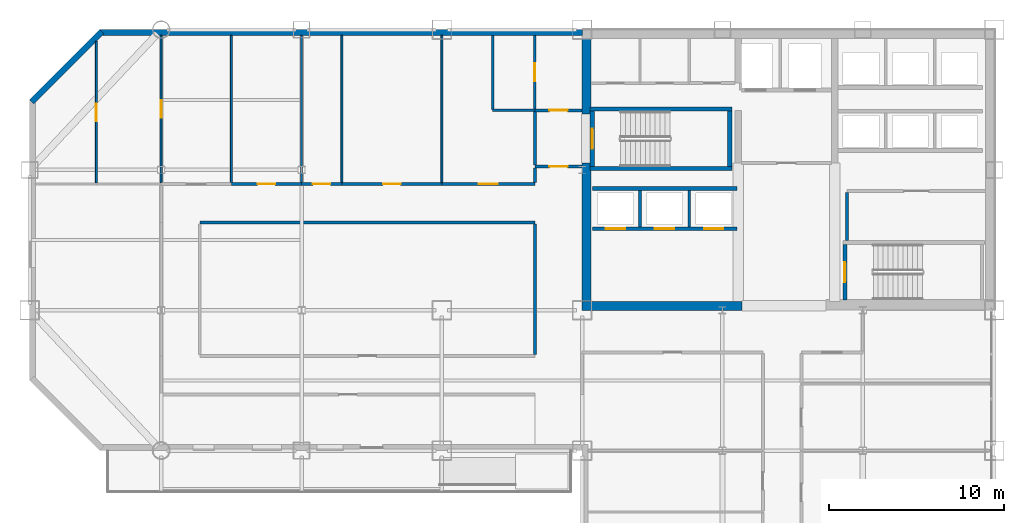
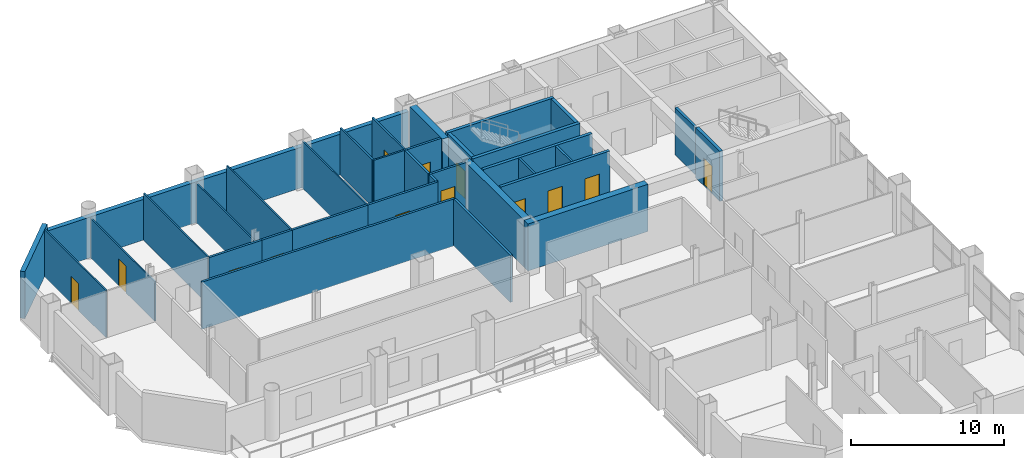
# One storey, part 13 of 16: 34 walls, 14 doors, 14 openings.
"""IFC4 building model written with IfcOpenShell, lengths in metres."""

from ifc_helpers import new_model, si_unit, direction, frame, frame_2d, origin, place, context, subcontext, project, spatial, rectangle, extrude, material, layer, layer_set, type_object, element, fill, save


model = new_model("IFC4")

# Units and contexts
model_context = context("Model", 3, precision=1e-05, world=origin(), true_north=direction((0.0, 1.0)))
body_context = subcontext(model_context, "Body", "Model", "MODEL_VIEW")
ifc_project = project(units=[si_unit("LENGTHUNIT", "METRE"), si_unit("AREAUNIT", "SQUARE_METRE"), si_unit("VOLUMEUNIT", "CUBIC_METRE"), si_unit("PLANEANGLEUNIT", "RADIAN"), si_unit("MASSUNIT", "GRAM", prefix="KILO")], contexts=[model_context])

# Site, building, storey
site_placement = place(None, origin())
site = spatial("IfcSite", under=ifc_project, at=site_placement, CompositionType="ELEMENT")
building_placement = place(site_placement, origin())
building = spatial("IfcBuilding", under=site, at=building_placement, Name="Qianrong Seaharbour Tower", CompositionType="ELEMENT")
storey_placement = place(building_placement, frame((0.0, 0.0, 123.0)))
storey = spatial("IfcBuildingStorey", under=building, at=storey_placement, Name="L29", CompositionType="ELEMENT", Elevation=123.0)

# Walls
ifc_material_1 = material(Name="Concrete C60/75", Category="concrete")
ifc_layer_1 = layer(ifc_material_1, 0.5)
ifc_layer_set_1 = layer_set([ifc_layer_1], Name="Concrete C60/75")
wall_type_1 = type_object("IfcWallType", Name="WALL-CORE-500", PredefinedType="SHEAR", material=ifc_layer_set_1)
wall_1_placement = place(storey_placement, frame((40.75, 36.5, 0.0), z_axis=(0.0, 0.0, 1.0), x_axis=(0.0, 1.0, 0.0)))
element("IfcWall", 1, at=wall_1_placement, inside=storey, type_object=wall_type_1, Name="L29 West Core Shear Wall South", PredefinedType="SHEAR", context=body_context, shape_type="SweptSolid", body=[
    extrude(rectangle(XDim=7.89990234375, YDim=0.5, at=frame_2d((3.949951171875, 0.0))), origin(), (0.0, 0.0, 1.0), 3.764892578125),
])
wall_2_placement = place(storey_placement, frame((40.75, 47.199951171875, 0.0), z_axis=(0.0, 0.0, 1.0), x_axis=(0.0, 1.0, 0.0)))
element("IfcWall", 2, at=wall_2_placement, inside=storey, type_object=wall_type_1, Name="L29 West Core Shear Wall North", PredefinedType="SHEAR", context=body_context, shape_type="SweptSolid", body=[
    extrude(rectangle(XDim=4.300048828125, YDim=0.5, at=frame_2d((2.14990234375, 0.0))), origin(), (0.0, 0.0, 1.0), 3.764892578125),
])
wall_3_placement = place(storey_placement, frame((40.5, 36.25, 0.0), z_axis=(0.0, 0.0, 1.0), x_axis=(1.0, 0.0, 0.0)))
element("IfcWall", 3, at=wall_3_placement, inside=storey, type_object=wall_type_1, Name="L29 South Core Shear Wall S1", PredefinedType="SHEAR", context=body_context, shape_type="SweptSolid", body=[
    extrude(rectangle(XDim=9.10009765625, YDim=0.5, at=frame_2d((4.550048828125, 0.0))), origin(), (0.0, 0.0, 1.0), 3.764892578125),
])

# Wall, opening, door
ifc_material_2 = material(Name="Fire-rated acoustic gypsum board partition")
ifc_layer_2 = layer(ifc_material_2, 0.1650390625)
ifc_layer_set_2 = layer_set([ifc_layer_2], Name="Fire-rated acoustic gypsum board partition")
wall_type_2 = type_object("IfcWallType", Name="WALL-CORR-PART-165", PredefinedType="PARTITIONING", material=ifc_layer_set_2)
wall_4_placement = place(storey_placement, frame((37.800048828125, 47.39990234375, 0.0), z_axis=(0.0, 0.0, 1.0), x_axis=(1.0, 0.0, 0.0)))
wall_4 = element("IfcWall", 4, at=wall_4_placement, inside=storey, type_object=wall_type_2, Name="L29 Interior Partition Wall 001", PredefinedType="PARTITIONING", context=body_context, shape_type="SweptSolid", body=[
    extrude(rectangle(XDim=2.699951171875, YDim=0.1650390625, at=frame_2d((1.35009765625, 0.0))), origin(), (0.0, 0.0, 1.0), 3.764892578125),
])
opening_1_placement = place(wall_4_placement, frame((0.824951171875, 0.0, 0.0)))
opening_1 = element("IfcOpeningElement", 5, at=opening_1_placement, cuts=wall_4, Name="Opening DC-01", PredefinedType="OPENING", context=body_context, shape_type="SweptSolid", body=[
    extrude(rectangle(XDim=1.050048828125, YDim=2.14990234375, at=frame_2d((0.52490234375, 1.074951171875))), frame((0.0, 0.092529296875, 0.0), z_axis=(0.0, -1.0, 0.0), x_axis=(1.0, 0.0, 0.0)), (0.0, 0.0, 1.0), 0.18505859375),
])
ifc_material_3 = material(Name="Acoustic timber and galvanized steel fire door assembly", Category="steel")
door_type_1 = type_object("IfcDoorType", Name="DOOR-CORR-FD60-1050x2150", OperationType="NOTDEFINED", PredefinedType="DOOR", material=ifc_material_3)
door_1_placement = place(opening_1_placement, origin())
door_1 = element("IfcDoor", 6, at=door_1_placement, inside=storey, type_object=door_type_1, Name="L29 Smokeproof Stair Vestibule ST-1 Door", OperationType="SINGLE_SWING_LEFT", OverallHeight=2.14990234375, OverallWidth=1.050048828125, PredefinedType="DOOR", context=body_context, shape_type="SweptSolid", body=[
    extrude(rectangle(XDim=1.050048828125, YDim=2.14990234375, at=frame_2d((0.52490234375, 1.074951171875))), frame((0.0, 0.02490234375, 0.0), z_axis=(0.0, -1.0, 0.0), x_axis=(1.0, 0.0, 0.0)), (0.0, 0.0, 1.0), 0.050048828125),
])
fill(opening_1, door_1)

wall_5_placement = place(storey_placement, frame((40.5, 44.199951171875, 0.0), z_axis=(0.0, 0.0, 1.0), x_axis=(-1.0, 0.0, 0.0)))
wall_5 = element("IfcWall", 7, at=wall_5_placement, inside=storey, type_object=wall_type_2, Name="L29 Interior Partition Wall 002", PredefinedType="PARTITIONING", context=body_context, shape_type="SweptSolid", body=[
    extrude(rectangle(XDim=2.699951171875, YDim=0.1650390625, at=frame_2d((1.35009765625, 0.0))), origin(), (0.0, 0.0, 1.0), 3.764892578125),
])
opening_2_placement = place(wall_5_placement, frame((0.824951171875, 0.0, 0.0)))
opening_2 = element("IfcOpeningElement", 8, at=opening_2_placement, cuts=wall_5, Name="Opening DC-01", PredefinedType="OPENING", context=body_context, shape_type="SweptSolid", body=[
    extrude(rectangle(XDim=1.050048828125, YDim=2.14990234375, at=frame_2d((0.52490234375, 1.074951171875))), frame((0.0, 0.092529296875, 0.0), z_axis=(0.0, -1.0, 0.0), x_axis=(1.0, 0.0, 0.0)), (0.0, 0.0, 1.0), 0.18505859375),
])
door_2_placement = place(opening_2_placement, origin())
door_2 = element("IfcDoor", 9, at=door_2_placement, inside=storey, type_object=door_type_1, Name="L29 Smokeproof Stair Vestibule ST-1 Door", OperationType="SINGLE_SWING_RIGHT", OverallHeight=2.14990234375, OverallWidth=1.050048828125, PredefinedType="DOOR", context=body_context, shape_type="SweptSolid", body=[
    extrude(rectangle(XDim=1.050048828125, YDim=2.14990234375, at=frame_2d((0.52490234375, 1.074951171875))), frame((0.0, 0.02490234375, 0.0), z_axis=(0.0, -1.0, 0.0), x_axis=(1.0, 0.0, 0.0)), (0.0, 0.0, 1.0), 0.050048828125),
])
fill(opening_2, door_2)

# Walls
wall_6_placement = place(storey_placement, frame((37.800048828125, 44.2744140625, 0.0), z_axis=(0.0, 0.0, 1.0), x_axis=(0.0, 1.0, 0.0)))
element("IfcWall", 10, at=wall_6_placement, inside=storey, type_object=wall_type_2, Name="L29 Interior Partition Wall 003", PredefinedType="PARTITIONING", context=body_context, shape_type="SweptSolid", body=[
    extrude(rectangle(XDim=3.051025390625, YDim=0.1650390625, at=frame_2d((1.525390625, 0.0))), origin(), (0.0, 0.0, 1.0), 3.764892578125),
])
wall_7_placement = place(storey_placement, frame((37.800048828125, 41.0, 0.0), z_axis=(0.0, 0.0, 1.0), x_axis=(-1.0, 0.0, 0.0)))
element("IfcWall", 11, at=wall_7_placement, inside=storey, type_object=wall_type_2, Name="L29 Interior Partition Wall 019", PredefinedType="PARTITIONING", context=body_context, shape_type="SweptSolid", body=[
    extrude(rectangle(XDim=19.10009765625, YDim=0.1650390625, at=frame_2d((9.550048828125, 0.0))), origin(), (0.0, 0.0, 1.0), 3.764892578125),
])

# Wall, opening, door
wall_8_placement = place(storey_placement, frame((20.5, 43.199951171875, 0.0), z_axis=(0.0, 0.0, 1.0), x_axis=(1.0, 0.0, 0.0)))
wall_8 = element("IfcWall", 12, at=wall_8_placement, inside=storey, type_object=wall_type_2, Name="L29 Interior Partition Wall 021", PredefinedType="PARTITIONING", context=body_context, shape_type="SweptSolid", body=[
    extrude(rectangle(XDim=4.0, YDim=0.1650390625, at=frame_2d((2.0, 0.0))), origin(), (0.0, 0.0, 1.0), 3.764892578125),
])
opening_3_placement = place(wall_8_placement, frame((1.5, 0.0, 0.0)))
opening_3 = element("IfcOpeningElement", 13, at=opening_3_placement, cuts=wall_8, Name="Opening DO-01", PredefinedType="OPENING", context=body_context, shape_type="SweptSolid", body=[
    extrude(rectangle(XDim=1.0, YDim=2.14990234375, at=frame_2d((0.5, 1.074951171875))), frame((0.0, 0.092529296875, 0.0), z_axis=(0.0, -1.0, 0.0), x_axis=(1.0, 0.0, 0.0)), (0.0, 0.0, 1.0), 0.18505859375),
])
door_type_2 = type_object("IfcDoorType", Name="DOOR-OFFICE-1000x2150", OperationType="NOTDEFINED", PredefinedType="DOOR", material=ifc_material_3)
door_3_placement = place(opening_3_placement, origin())
door_3 = element("IfcDoor", 14, at=door_3_placement, inside=storey, type_object=door_type_2, Name="L29 Executive Office 4 Door", OperationType="SINGLE_SWING_LEFT", OverallHeight=2.14990234375, OverallWidth=1.0, PredefinedType="DOOR", context=body_context, shape_type="SweptSolid", body=[
    extrude(rectangle(XDim=1.0, YDim=2.14990234375, at=frame_2d((0.5, 1.074951171875))), frame((0.0, 0.02490234375, 0.0), z_axis=(0.0, -1.0, 0.0), x_axis=(1.0, 0.0, 0.0)), (0.0, 0.0, 1.0), 0.050048828125),
])
fill(opening_3, door_3)

wall_9_placement = place(storey_placement, frame((24.5, 43.199951171875, 0.0), z_axis=(0.0, 0.0, 1.0), x_axis=(1.0, 0.0, 0.0)))
wall_9 = element("IfcWall", 15, at=wall_9_placement, inside=storey, type_object=wall_type_2, Name="L29 Interior Partition Wall 022", PredefinedType="PARTITIONING", context=body_context, shape_type="SweptSolid", body=[
    extrude(rectangle(XDim=2.300048828125, YDim=0.1650390625, at=frame_2d((1.14990234375, 0.0))), origin(), (0.0, 0.0, 1.0), 3.764892578125),
])
opening_4_placement = place(wall_9_placement, frame((0.64990234375, 0.0, 0.0)))
opening_4 = element("IfcOpeningElement", 16, at=opening_4_placement, cuts=wall_9, Name="Opening DO-01", PredefinedType="OPENING", context=body_context, shape_type="SweptSolid", body=[
    extrude(rectangle(XDim=1.0, YDim=2.14990234375, at=frame_2d((0.5, 1.074951171875))), frame((0.0, 0.092529296875, 0.0), z_axis=(0.0, -1.0, 0.0), x_axis=(1.0, 0.0, 0.0)), (0.0, 0.0, 1.0), 0.18505859375),
])
door_4_placement = place(opening_4_placement, origin())
door_4 = element("IfcDoor", 17, at=door_4_placement, inside=storey, type_object=door_type_2, Name="L29 Executive Office 5 Door", OperationType="SINGLE_SWING_RIGHT", OverallHeight=2.14990234375, OverallWidth=1.0, PredefinedType="DOOR", context=body_context, shape_type="SweptSolid", body=[
    extrude(rectangle(XDim=1.0, YDim=2.14990234375, at=frame_2d((0.5, 1.074951171875))), frame((0.0, 0.02490234375, 0.0), z_axis=(0.0, -1.0, 0.0), x_axis=(1.0, 0.0, 0.0)), (0.0, 0.0, 1.0), 0.050048828125),
])
fill(opening_4, door_4)

wall_10_placement = place(storey_placement, frame((26.800048828125, 43.199951171875, 0.0), z_axis=(0.0, 0.0, 1.0), x_axis=(1.0, 0.0, 0.0)))
wall_10 = element("IfcWall", 18, at=wall_10_placement, inside=storey, type_object=wall_type_2, Name="L29 Interior Partition Wall 023", PredefinedType="PARTITIONING", context=body_context, shape_type="SweptSolid", body=[
    extrude(rectangle(XDim=5.699951171875, YDim=0.1650390625, at=frame_2d((2.85009765625, 0.0))), origin(), (0.0, 0.0, 1.0), 3.764892578125),
])
opening_5_placement = place(wall_10_placement, frame((2.35009765625, 0.0, 0.0)))
opening_5 = element("IfcOpeningElement", 19, at=opening_5_placement, cuts=wall_10, Name="Opening DO-01", PredefinedType="OPENING", context=body_context, shape_type="SweptSolid", body=[
    extrude(rectangle(XDim=1.0, YDim=2.14990234375, at=frame_2d((0.5, 1.074951171875))), frame((0.0, 0.092529296875, 0.0), z_axis=(0.0, -1.0, 0.0), x_axis=(1.0, 0.0, 0.0)), (0.0, 0.0, 1.0), 0.18505859375),
])
door_5_placement = place(opening_5_placement, origin())
door_5 = element("IfcDoor", 20, at=door_5_placement, inside=storey, type_object=door_type_2, Name="L29 Focus Room 6 Door", OperationType="SINGLE_SWING_LEFT", OverallHeight=2.14990234375, OverallWidth=1.0, PredefinedType="DOOR", context=body_context, shape_type="SweptSolid", body=[
    extrude(rectangle(XDim=1.0, YDim=2.14990234375, at=frame_2d((0.5, 1.074951171875))), frame((0.0, 0.02490234375, 0.0), z_axis=(0.0, -1.0, 0.0), x_axis=(1.0, 0.0, 0.0)), (0.0, 0.0, 1.0), 0.050048828125),
])
fill(opening_5, door_5)

wall_11_placement = place(storey_placement, frame((32.5, 43.199951171875, 0.0), z_axis=(0.0, 0.0, 1.0), x_axis=(1.0, 0.0, 0.0)))
wall_11 = element("IfcWall", 21, at=wall_11_placement, inside=storey, type_object=wall_type_2, Name="L29 Interior Partition Wall 024", PredefinedType="PARTITIONING", context=body_context, shape_type="SweptSolid", body=[
    extrude(rectangle(XDim=5.300048828125, YDim=0.1650390625, at=frame_2d((2.64990234375, 0.0))), origin(), (0.0, 0.0, 1.0), 3.764892578125),
])
opening_6_placement = place(wall_11_placement, frame((2.10009765625, 0.0, 0.0)))
opening_6 = element("IfcOpeningElement", 22, at=opening_6_placement, cuts=wall_11, Name="Opening DM-01", PredefinedType="OPENING", context=body_context, shape_type="SweptSolid", body=[
    extrude(rectangle(XDim=1.10009765625, YDim=2.199951171875, at=frame_2d((0.550048828125, 1.10009765625))), frame((0.0, 0.092529296875, 0.0), z_axis=(0.0, -1.0, 0.0), x_axis=(1.0, 0.0, 0.0)), (0.0, 0.0, 1.0), 0.18505859375),
])
door_type_3 = type_object("IfcDoorType", Name="DOOR-MEET-1100x2200", OperationType="NOTDEFINED", PredefinedType="DOOR", material=ifc_material_3)
door_6_placement = place(opening_6_placement, origin())
door_6 = element("IfcDoor", 23, at=door_6_placement, inside=storey, type_object=door_type_3, Name="L29 Meeting Room 7 Door", OperationType="SINGLE_SWING_RIGHT", OverallHeight=2.199951171875, OverallWidth=1.10009765625, PredefinedType="DOOR", context=body_context, shape_type="SweptSolid", body=[
    extrude(rectangle(XDim=1.10009765625, YDim=2.199951171875, at=frame_2d((0.550048828125, 1.10009765625))), frame((0.0, 0.02490234375, 0.0), z_axis=(0.0, -1.0, 0.0), x_axis=(1.0, 0.0, 0.0)), (0.0, 0.0, 1.0), 0.050048828125),
])
fill(opening_6, door_6)

# Walls
wall_12_placement = place(storey_placement, frame((37.800048828125, 33.474609375, 0.0), z_axis=(0.0, 0.0, 1.0), x_axis=(0.0, 1.0, 0.0)))
element("IfcWall", 24, at=wall_12_placement, inside=storey, type_object=wall_type_2, Name="L29 Interior Partition Wall 027", PredefinedType="PARTITIONING", context=body_context, shape_type="SweptSolid", body=[
    extrude(rectangle(XDim=7.450927734375, YDim=0.1650390625, at=frame_2d((3.7255859375, 0.0))), origin(), (0.0, 0.0, 1.0), 3.764892578125),
])
wall_13_placement = place(storey_placement, frame((37.800048828125, 43.2744140625, 0.0), z_axis=(0.0, 0.0, 1.0), x_axis=(0.0, 1.0, 0.0)))
element("IfcWall", 25, at=wall_13_placement, inside=storey, type_object=wall_type_2, Name="L29 Interior Partition Wall 028", PredefinedType="PARTITIONING", context=body_context, shape_type="SweptSolid", body=[
    extrude(rectangle(XDim=0.85107421875, YDim=0.1650390625, at=frame_2d((0.425537109375, 0.0))), origin(), (0.0, 0.0, 1.0), 3.764892578125),
])

# Wall, opening, door
ifc_material_4 = material(Name="Demountable aluminium-framed acoustic office partition", Category="aluminium")
ifc_layer_3 = layer(ifc_material_4, 0.110107421875)
ifc_layer_set_3 = layer_set([ifc_layer_3], Name="Demountable aluminium-framed acoustic office partition")
wall_type_3 = type_object("IfcWallType", Name="WALL-DEMOUNT-110", PredefinedType="MOVABLE", material=ifc_layer_set_3)
wall_14_placement = place(storey_placement, frame((12.800048828125, 51.33056640625, 0.0), z_axis=(0.0, 0.0, 1.0), x_axis=(0.0, -1.0, 0.0)))
wall_14 = element("IfcWall", 26, at=wall_14_placement, inside=storey, type_object=wall_type_3, Name="L29 Interior Partition Wall 048", PredefinedType="MOVABLE", context=body_context, shape_type="SweptSolid", body=[
    extrude(rectangle(XDim=8.08349609375, YDim=0.110107421875, at=frame_2d((4.041748046875, 0.0))), origin(), (0.0, 0.0, 1.0), 3.764892578125),
])
opening_7_placement = place(wall_14_placement, frame((3.541748046875, 0.0, 0.0)))
opening_7 = element("IfcOpeningElement", 27, at=opening_7_placement, cuts=wall_14, Name="Opening DO-01", PredefinedType="OPENING", context=body_context, shape_type="SweptSolid", body=[
    extrude(rectangle(XDim=1.0, YDim=2.14990234375, at=frame_2d((0.5, 1.074951171875))), frame((0.0, 0.06494140625, 0.0), z_axis=(0.0, -1.0, 0.0), x_axis=(1.0, 0.0, 0.0)), (0.0, 0.0, 1.0), 0.130126953125),
])
door_7_placement = place(opening_7_placement, origin())
door_7 = element("IfcDoor", 28, at=door_7_placement, inside=storey, type_object=door_type_2, Name="L29 Executive Office 1 Door", OperationType="SINGLE_SWING_RIGHT", OverallHeight=2.14990234375, OverallWidth=1.0, PredefinedType="DOOR", context=body_context, shape_type="SweptSolid", body=[
    extrude(rectangle(XDim=1.0, YDim=2.14990234375, at=frame_2d((0.5, 1.074951171875))), frame((0.0, 0.02490234375, 0.0), z_axis=(0.0, -1.0, 0.0), x_axis=(1.0, 0.0, 0.0)), (0.0, 0.0, 1.0), 0.050048828125),
])
fill(opening_7, door_7)

wall_15_placement = place(storey_placement, frame((16.5, 51.66796875, 0.0), z_axis=(0.0, 0.0, 1.0), x_axis=(0.0, -1.0, 0.0)))
wall_15 = element("IfcWall", 29, at=wall_15_placement, inside=storey, type_object=wall_type_3, Name="L29 Interior Partition Wall 049", PredefinedType="MOVABLE", context=body_context, shape_type="SweptSolid", body=[
    extrude(rectangle(XDim=8.3935546875, YDim=0.110107421875, at=frame_2d((4.19677734375, 0.0))), origin(), (0.0, 0.0, 1.0), 3.156982421875),
])
opening_8_placement = place(wall_15_placement, frame((3.69677734375, 0.0, 0.0)))
opening_8 = element("IfcOpeningElement", 30, at=opening_8_placement, cuts=wall_15, Name="Opening DO-01", PredefinedType="OPENING", context=body_context, shape_type="SweptSolid", body=[
    extrude(rectangle(XDim=1.0, YDim=2.14990234375, at=frame_2d((0.5, 1.074951171875))), frame((0.0, 0.06494140625, 0.0), z_axis=(0.0, -1.0, 0.0), x_axis=(1.0, 0.0, 0.0)), (0.0, 0.0, 1.0), 0.130126953125),
])
door_8_placement = place(opening_8_placement, origin())
door_8 = element("IfcDoor", 31, at=door_8_placement, inside=storey, type_object=door_type_2, Name="L29 Focus Room 2 Door", OperationType="SINGLE_SWING_LEFT", OverallHeight=2.14990234375, OverallWidth=1.0, PredefinedType="DOOR", context=body_context, shape_type="SweptSolid", body=[
    extrude(rectangle(XDim=1.0, YDim=2.14990234375, at=frame_2d((0.5, 1.074951171875))), frame((0.0, 0.02490234375, 0.0), z_axis=(0.0, -1.0, 0.0), x_axis=(1.0, 0.0, 0.0)), (0.0, 0.0, 1.0), 0.050048828125),
])
fill(opening_8, door_8)

# Walls
wall_16_placement = place(storey_placement, frame((20.5, 51.66796875, 0.0), z_axis=(0.0, 0.0, 1.0), x_axis=(0.0, -1.0, 0.0)))
element("IfcWall", 32, at=wall_16_placement, inside=storey, type_object=wall_type_3, Name="L29 Interior Partition Wall 050", PredefinedType="MOVABLE", context=body_context, shape_type="SweptSolid", body=[
    extrude(rectangle(XDim=8.3935546875, YDim=0.110107421875, at=frame_2d((4.19677734375, 0.0))), origin(), (0.0, 0.0, 1.0), 3.764892578125),
])
wall_17_placement = place(storey_placement, frame((24.5, 51.66796875, 0.0), z_axis=(0.0, 0.0, 1.0), x_axis=(0.0, -1.0, 0.0)))
element("IfcWall", 33, at=wall_17_placement, inside=storey, type_object=wall_type_3, Name="L29 Interior Partition Wall 051", PredefinedType="MOVABLE", context=body_context, shape_type="SweptSolid", body=[
    extrude(rectangle(XDim=8.3935546875, YDim=0.110107421875, at=frame_2d((4.19677734375, 0.0))), origin(), (0.0, 0.0, 1.0), 3.156982421875),
])
for number, where, z_axis, x_axis, name in (
    (34, (26.800048828125, 51.66796875, 0.0), (0.0, 0.0, 1.0), (0.0, -1.0, 0.0), "L29 Interior Partition Wall 052"),
    (35, (32.5, 51.66796875, 0.0), (0.0, 0.0, 1.0), (0.0, -1.0, 0.0), "L29 Interior Partition Wall 053"),
):
    element("IfcWall", number, at=place(storey_placement, frame(where, z_axis=z_axis, x_axis=x_axis)), inside=storey, type_object=wall_type_3, Name=name, PredefinedType="MOVABLE", context=body_context, shape_type="SweptSolid", body=[
        extrude(rectangle(XDim=8.3935546875, YDim=0.110107421875, at=frame_2d((4.19677734375, 0.0))), origin(), (0.0, 0.0, 1.0), 3.764892578125),
    ])
ifc_material_5 = material(Name="Unitised buff brick on Precast concrete C45/55", Category="masonry")
ifc_layer_4 = layer(ifc_material_5, 0.340087890625)
ifc_layer_set_4 = layer_set([ifc_layer_4], Name="Unitised buff brick on Precast concrete C45/55")
wall_type_4 = type_object("IfcWallType", Name="WALL-EXT-BRICK-BUFF-340", PredefinedType="SOLIDWALL", material=ifc_layer_set_4)
wall_18_placement = place(storey_placement, frame((9.1201171875, 47.8798828125, 0.0), z_axis=(0.0, 0.0, 1.0), x_axis=(0.707106781187, 0.707106781187, 0.0)))
element("IfcWall", 36, at=wall_18_placement, inside=storey, type_object=wall_type_4, Name="L29 Exterior Masonry Facade Wall E04", PredefinedType="SOLIDWALL", context=body_context, shape_type="SweptSolid", body=[
    extrude(rectangle(XDim=5.65673828125, YDim=0.340087890625, at=frame_2d((2.828369140625, 0.0))), origin(), (0.0, 0.0, 1.0), 3.764892578125),
])
wall_19_placement = place(storey_placement, frame((13.0, 51.830078125, 0.0), z_axis=(0.0, 0.0, 1.0), x_axis=(1.0, 0.0, 0.0)))
element("IfcWall", 37, at=wall_19_placement, inside=storey, type_object=wall_type_4, Name="L29 Exterior Masonry Facade Wall NORTH_WING", PredefinedType="SOLIDWALL", context=body_context, shape_type="SweptSolid", body=[
    extrude(rectangle(XDim=27.52001953125, YDim=0.340087890625, at=frame_2d((13.760009765625, 0.0))), origin(), (0.0, 0.0, 1.0), 3.264892578125),
])
ifc_material_6 = material(Name="Double fire-rated gypsum board acoustic partition")
ifc_layer_5 = layer(ifc_material_6, 0.18994140625)
ifc_layer_set_5 = layer_set([ifc_layer_5], Name="Double fire-rated gypsum board acoustic partition")
wall_type_5 = type_object("IfcWallType", Name="WALL-FIRE-PART-190", PredefinedType="PARTITIONING", material=ifc_layer_set_5)
wall_20_placement = place(storey_placement, frame((55.60009765625, 42.712890625, 0.0), z_axis=(0.0, 0.0, 1.0), x_axis=(0.0, -1.0, 0.0)))
element("IfcWall", 38, at=wall_20_placement, inside=storey, type_object=wall_type_5, Name="L29 Interior Partition Wall 011", PredefinedType="PARTITIONING", context=body_context, shape_type="SweptSolid", body=[
    extrude(rectangle(XDim=2.73095703125, YDim=0.18994140625, at=frame_2d((1.365478515625, 0.0))), origin(), (0.0, 0.0, 1.0), 3.764892578125),
])
ifc_material_7 = material(Name="Fire-rated gypsum board on steel studs", Category="steel")
ifc_layer_6 = layer(ifc_material_7, 0.14990234375)
ifc_layer_set_6 = layer_set([ifc_layer_6], Name="Fire-rated gypsum board on steel studs")
wall_type_6 = type_object("IfcWallType", Name="WALL-SHAFT-DIV-150", PredefinedType="PARTITIONING", material=ifc_layer_set_6)
for number, where, z_axis, x_axis, name in (
    (39, (43.800048828125, 40.760009765625, 0.0), (0.0, 0.0, 1.0), (0.0, 1.0, 0.0), "L29 P2 Lift Hoistway Divider 2"),
    (40, (46.60009765625, 40.760009765625, 0.0), (0.0, 0.0, 1.0), (0.0, 1.0, 0.0), "L29 P2 Lift Hoistway Divider 3"),
):
    element("IfcWall", number, at=place(storey_placement, frame(where, z_axis=z_axis, x_axis=x_axis)), inside=storey, type_object=wall_type_6, Name=name, PredefinedType="PARTITIONING", context=body_context, shape_type="SweptSolid", body=[
        extrude(rectangle(XDim=2.080078125, YDim=0.14990234375, at=frame_2d((1.0400390625, 0.0))), origin(), (0.0, 0.0, 1.0), 3.764892578125),
    ])

# Wall, openings, doors
ifc_layer_7 = layer(ifc_material_7, 0.219970703125)
ifc_layer_set_7 = layer_set([ifc_layer_7], Name="Fire-rated gypsum board on steel studs")
wall_type_7 = type_object("IfcWallType", Name="WALL-SHAFT-GYP220", PredefinedType="PARTITIONING", material=ifc_layer_set_7)
wall_21_placement = place(storey_placement, frame((49.320068359375, 40.64990234375, 0.0), z_axis=(0.0, 0.0, 1.0), x_axis=(-1.0, 0.0, 0.0)))
wall_21 = element("IfcWall", 41, at=wall_21_placement, inside=storey, type_object=wall_type_7, Name="L29 P2 Lift Hoistway Front Wall", PredefinedType="PARTITIONING", context=body_context, shape_type="SweptSolid", body=[
    extrude(rectangle(XDim=8.239990234375, YDim=0.219970703125, at=frame_2d((4.1201171875, 0.0))), origin(), (0.0, 0.0, 1.0), 3.764892578125),
])
opening_9_placement = place(wall_21_placement, frame((6.3701171875, 0.0, 0.0)))
opening_9 = element("IfcOpeningElement", 42, at=opening_9_placement, cuts=wall_21, Name="Opening LD-02", PredefinedType="OPENING", context=body_context, shape_type="SweptSolid", body=[
    extrude(rectangle(XDim=1.10009765625, YDim=2.199951171875, at=frame_2d((0.550048828125, 1.10009765625))), frame((0.0, 0.1201171875, 0.0), z_axis=(0.0, -1.0, 0.0), x_axis=(1.0, 0.0, 0.0)), (0.0, 0.0, 1.0), 0.239990234375),
])
opening_10_placement = place(wall_21_placement, frame((3.570068359375, 0.0, 0.0)))
opening_10 = element("IfcOpeningElement", 43, at=opening_10_placement, cuts=wall_21, Name="Opening LD-02", PredefinedType="OPENING", context=body_context, shape_type="SweptSolid", body=[
    extrude(rectangle(XDim=1.10009765625, YDim=2.199951171875, at=frame_2d((0.550048828125, 1.10009765625))), frame((0.0, 0.1201171875, 0.0), z_axis=(0.0, -1.0, 0.0), x_axis=(1.0, 0.0, 0.0)), (0.0, 0.0, 1.0), 0.239990234375),
])
opening_11_placement = place(wall_21_placement, frame((0.77001953125, 0.0, 0.0)))
opening_11 = element("IfcOpeningElement", 44, at=opening_11_placement, cuts=wall_21, Name="Opening LD-02", PredefinedType="OPENING", context=body_context, shape_type="SweptSolid", body=[
    extrude(rectangle(XDim=1.10009765625, YDim=2.199951171875, at=frame_2d((0.550048828125, 1.10009765625))), frame((0.0, 0.1201171875, 0.0), z_axis=(0.0, -1.0, 0.0), x_axis=(1.0, 0.0, 0.0)), (0.0, 0.0, 1.0), 0.239990234375),
])
ifc_material_8 = material(Name="Stainless steel SUS316L bi-parting lift landing door", Category="steel")
door_type_4 = type_object("IfcDoorType", Name="DOOR-LIFT-PASS-1100x2200", OperationType="DOUBLE_DOOR_SLIDING", PredefinedType="DOOR", material=ifc_material_8)
door_9_placement = place(opening_9_placement, origin())
door_9 = element("IfcDoor", 45, at=door_9_placement, inside=storey, type_object=door_type_4, Name="L29 PL-2A Lift Landing Door", OperationType="DOUBLE_DOOR_SLIDING", OverallHeight=2.199951171875, OverallWidth=1.10009765625, PredefinedType="DOOR", context=body_context, shape_type="SweptSolid", body=[
    extrude(rectangle(XDim=1.10009765625, YDim=2.199951171875, at=frame_2d((0.550048828125, 1.10009765625))), frame((0.0, 0.02490234375, 0.0), z_axis=(0.0, -1.0, 0.0), x_axis=(1.0, 0.0, 0.0)), (0.0, 0.0, 1.0), 0.050048828125),
])
fill(opening_9, door_9)
door_10_placement = place(opening_10_placement, origin())
door_10 = element("IfcDoor", 46, at=door_10_placement, inside=storey, type_object=door_type_4, Name="L29 PL-2B Lift Landing Door", OperationType="DOUBLE_DOOR_SLIDING", OverallHeight=2.199951171875, OverallWidth=1.10009765625, PredefinedType="DOOR", context=body_context, shape_type="SweptSolid", body=[
    extrude(rectangle(XDim=1.10009765625, YDim=2.199951171875, at=frame_2d((0.550048828125, 1.10009765625))), frame((0.0, 0.02490234375, 0.0), z_axis=(0.0, -1.0, 0.0), x_axis=(1.0, 0.0, 0.0)), (0.0, 0.0, 1.0), 0.050048828125),
])
fill(opening_10, door_10)
door_11_placement = place(opening_11_placement, origin())
door_11 = element("IfcDoor", 47, at=door_11_placement, inside=storey, type_object=door_type_4, Name="L29 PL-2C Lift Landing Door", OperationType="DOUBLE_DOOR_SLIDING", OverallHeight=2.199951171875, OverallWidth=1.10009765625, PredefinedType="DOOR", context=body_context, shape_type="SweptSolid", body=[
    extrude(rectangle(XDim=1.10009765625, YDim=2.199951171875, at=frame_2d((0.550048828125, 1.10009765625))), frame((0.0, 0.02490234375, 0.0), z_axis=(0.0, -1.0, 0.0), x_axis=(1.0, 0.0, 0.0)), (0.0, 0.0, 1.0), 0.050048828125),
])
fill(opening_11, door_11)

# Walls
wall_22_placement = place(storey_placement, frame((41.080078125, 42.949951171875, 0.0), z_axis=(0.0, 0.0, 1.0), x_axis=(1.0, 0.0, 0.0)))
element("IfcWall", 48, at=wall_22_placement, inside=storey, type_object=wall_type_7, Name="L29 P2 Lift Hoistway Back Wall", PredefinedType="PARTITIONING", context=body_context, shape_type="SweptSolid", body=[
    extrude(rectangle(XDim=8.239990234375, YDim=0.219970703125, at=frame_2d((4.1201171875, 0.0))), origin(), (0.0, 0.0, 1.0), 3.764892578125),
])
ifc_material_9 = material(Name="Concrete C50/60", Category="concrete")
ifc_layer_8 = layer(ifc_material_9, 0.239990234375)
ifc_layer_set_8 = layer_set([ifc_layer_8], Name="Concrete C50/60")
wall_type_8 = type_object("IfcWallType", Name="WALL-SHAFT-RC240", PredefinedType="SOLIDWALL", material=ifc_layer_set_8)
for number, where, z_axis, x_axis, name in (
    (49, (40.9599609375, 47.469970703125, 0.0), (0.0, 0.0, 1.0), (1.0, 0.0, 0.0), "L29 ST-1 Structural Stair Core Wall N"),
    (50, (49.0400390625, 44.080078125, 0.0), (0.0, 0.0, 1.0), (-1.0, 0.0, 0.0), "L29 ST-1 Structural Stair Core Wall S"),
):
    element("IfcWall", number, at=place(storey_placement, frame(where, z_axis=z_axis, x_axis=x_axis)), inside=storey, type_object=wall_type_8, Name=name, PredefinedType="SOLIDWALL", context=body_context, shape_type="SweptSolid", body=[
        extrude(rectangle(XDim=8.080078125, YDim=0.239990234375, at=frame_2d((4.0400390625, 0.0))), origin(), (0.0, 0.0, 1.0), 4.0),
    ])

# Wall, opening, door
wall_23_placement = place(storey_placement, frame((41.080078125, 47.35009765625, 0.0), z_axis=(0.0, 0.0, 1.0), x_axis=(0.0, -1.0, 0.0)))
wall_23 = element("IfcWall", 51, at=wall_23_placement, inside=storey, type_object=wall_type_8, Name="L29 ST-1 Structural Stair Core Wall W", PredefinedType="SOLIDWALL", context=body_context, shape_type="SweptSolid", body=[
    extrude(rectangle(XDim=3.150146484375, YDim=0.239990234375, at=frame_2d((1.5751953125, 0.0))), origin(), (0.0, 0.0, 1.0), 4.0),
])
opening_12_placement = place(wall_23_placement, frame((1.0, 0.0, 0.0)))
opening_12 = element("IfcOpeningElement", 52, at=opening_12_placement, cuts=wall_23, Name="Opening SD-01", PredefinedType="OPENING", context=body_context, shape_type="SweptSolid", body=[
    extrude(rectangle(XDim=1.14990234375, YDim=2.199951171875, at=frame_2d((0.574951171875, 1.10009765625))), frame((0.0, 0.1298828125, 0.0), z_axis=(0.0, -1.0, 0.0), x_axis=(1.0, 0.0, 0.0)), (0.0, 0.0, 1.0), 0.260009765625),
])
door_type_5 = type_object("IfcDoorType", Name="DOOR-STAIR-FD60-1150x2200", OperationType="NOTDEFINED", PredefinedType="DOOR", material=ifc_material_3)
door_12_placement = place(opening_12_placement, origin())
door_12 = element("IfcDoor", 53, at=door_12_placement, inside=storey, type_object=door_type_5, Name="L29 ST-1 Protected Stair Door", OperationType="SINGLE_SWING_RIGHT", OverallHeight=2.199951171875, OverallWidth=1.14990234375, PredefinedType="DOOR", context=body_context, shape_type="SweptSolid", body=[
    extrude(rectangle(XDim=1.14990234375, YDim=2.199951171875, at=frame_2d((0.574951171875, 1.10009765625))), frame((0.0, 0.02490234375, 0.0), z_axis=(0.0, -1.0, 0.0), x_axis=(1.0, 0.0, 0.0)), (0.0, 0.0, 1.0), 0.050048828125),
])
fill(opening_12, door_12)

# Wall
wall_24_placement = place(storey_placement, frame((48.919921875, 44.199951171875, 0.0), z_axis=(0.0, 0.0, 1.0), x_axis=(0.0, 1.0, 0.0)))
element("IfcWall", 54, at=wall_24_placement, inside=storey, type_object=wall_type_8, Name="L29 ST-1 Structural Stair Core Wall E", PredefinedType="SOLIDWALL", context=body_context, shape_type="SweptSolid", body=[
    extrude(rectangle(XDim=3.150146484375, YDim=0.239990234375, at=frame_2d((1.5751953125, 0.0))), origin(), (0.0, 0.0, 1.0), 4.0),
])

# Wall, opening, door
wall_25_placement = place(storey_placement, frame((55.47998046875, 39.75, 0.0), z_axis=(0.0, 0.0, 1.0), x_axis=(0.0, -1.0, 0.0)))
wall_25 = element("IfcWall", 55, at=wall_25_placement, inside=storey, type_object=wall_type_8, Name="L29 ST-2 Structural Stair Core Wall W", PredefinedType="SOLIDWALL", context=body_context, shape_type="SweptSolid", body=[
    extrude(rectangle(XDim=3.14990234375, YDim=0.239990234375, at=frame_2d((1.574951171875, 0.0))), origin(), (0.0, 0.0, 1.0), 4.0),
])
opening_13_placement = place(wall_25_placement, frame((1.0, 0.0, 0.0)))
opening_13 = element("IfcOpeningElement", 56, at=opening_13_placement, cuts=wall_25, Name="Opening SD-01", PredefinedType="OPENING", context=body_context, shape_type="SweptSolid", body=[
    extrude(rectangle(XDim=1.14990234375, YDim=2.199951171875, at=frame_2d((0.574951171875, 1.10009765625))), frame((0.0, 0.1298828125, 0.0), z_axis=(0.0, -1.0, 0.0), x_axis=(1.0, 0.0, 0.0)), (0.0, 0.0, 1.0), 0.260009765625),
])
door_13_placement = place(opening_13_placement, origin())
door_13 = element("IfcDoor", 57, at=door_13_placement, inside=storey, type_object=door_type_5, Name="L29 ST-2 Protected Stair Door", OperationType="SINGLE_SWING_RIGHT", OverallHeight=2.199951171875, OverallWidth=1.14990234375, PredefinedType="DOOR", context=body_context, shape_type="SweptSolid", body=[
    extrude(rectangle(XDim=1.14990234375, YDim=2.199951171875, at=frame_2d((0.574951171875, 1.10009765625))), frame((0.0, 0.02490234375, 0.0), z_axis=(0.0, -1.0, 0.0), x_axis=(1.0, 0.0, 0.0)), (0.0, 0.0, 1.0), 0.050048828125),
])
fill(opening_13, door_13)

ifc_material_10 = material(Name="Water-resistant cement board sanitary partition")
ifc_layer_9 = layer(ifc_material_10, 0.1298828125)
ifc_layer_set_9 = layer_set([ifc_layer_9], Name="Water-resistant cement board sanitary partition")
wall_type_9 = type_object("IfcWallType", Name="WALL-WET-PART-130", PredefinedType="PARTITIONING", material=ifc_layer_set_9)
wall_26_placement = place(storey_placement, frame((37.800048828125, 47.474609375, 0.0), z_axis=(0.0, 0.0, 1.0), x_axis=(0.0, 1.0, 0.0)))
wall_26 = element("IfcWall", 58, at=wall_26_placement, inside=storey, type_object=wall_type_9, Name="L29 Interior Partition Wall 004", PredefinedType="PARTITIONING", context=body_context, shape_type="SweptSolid", body=[
    extrude(rectangle(XDim=4.193359375, YDim=0.1298828125, at=frame_2d((2.0966796875, 0.0))), origin(), (0.0, 0.0, 1.0), 3.764892578125),
])
opening_14_placement = place(wall_26_placement, frame((1.5869140625, 0.0, 0.0)))
opening_14 = element("IfcOpeningElement", 59, at=opening_14_placement, cuts=wall_26, Name="Opening DAW-01", PredefinedType="OPENING", context=body_context, shape_type="SweptSolid", body=[
    extrude(rectangle(XDim=1.02001953125, YDim=2.14990234375, at=frame_2d((0.510009765625, 1.074951171875))), frame((0.0, 0.074951171875, 0.0), z_axis=(0.0, -1.0, 0.0), x_axis=(1.0, 0.0, 0.0)), (0.0, 0.0, 1.0), 0.14990234375),
])
door_type_6 = type_object("IfcDoorType", Name="DOOR-AWC-SLIDE-1020x2150", OperationType="SLIDING_TO_LEFT", PredefinedType="DOOR", material=ifc_material_3)
door_14_placement = place(opening_14_placement, origin())
door_14 = element("IfcDoor", 60, at=door_14_placement, inside=storey, type_object=door_type_6, Name="L29 Accessible Restroom WC Door", OperationType="SLIDING_TO_LEFT", OverallHeight=2.14990234375, OverallWidth=1.02001953125, PredefinedType="DOOR", context=body_context, shape_type="SweptSolid", body=[
    extrude(rectangle(XDim=1.02001953125, YDim=2.14990234375, at=frame_2d((0.510009765625, 1.074951171875))), frame((0.0, 0.02490234375, 0.0), z_axis=(0.0, -1.0, 0.0), x_axis=(1.0, 0.0, 0.0)), (0.0, 0.0, 1.0), 0.050048828125),
])
fill(opening_14, door_14)

# Walls
wall_27_placement = place(storey_placement, frame((37.800048828125, 47.39990234375, 0.0), z_axis=(0.0, 0.0, 1.0), x_axis=(-1.0, 0.0, 0.0)))
element("IfcWall", 61, at=wall_27_placement, inside=storey, type_object=wall_type_9, Name="L29 Interior Partition Wall 005", PredefinedType="PARTITIONING", context=body_context, shape_type="SweptSolid", body=[
    extrude(rectangle(XDim=2.400146484375, YDim=0.1298828125, at=frame_2d((1.2001953125, 0.0))), origin(), (0.0, 0.0, 1.0), 3.764892578125),
])
wall_28_placement = place(storey_placement, frame((35.39990234375, 47.45703125, 0.0), z_axis=(0.0, 0.0, 1.0), x_axis=(0.0, 1.0, 0.0)))
element("IfcWall", 62, at=wall_28_placement, inside=storey, type_object=wall_type_9, Name="L29 Interior Partition Wall 006", PredefinedType="PARTITIONING", context=body_context, shape_type="SweptSolid", body=[
    extrude(rectangle(XDim=4.2109375, YDim=0.1298828125, at=frame_2d((2.10546875, 0.0))), origin(), (0.0, 0.0, 1.0), 3.764892578125),
])

save(model, "model.ifc")
